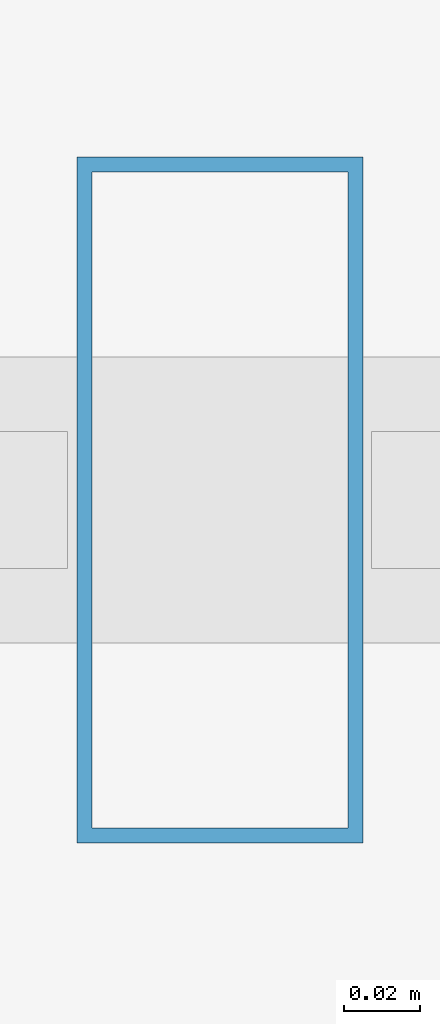
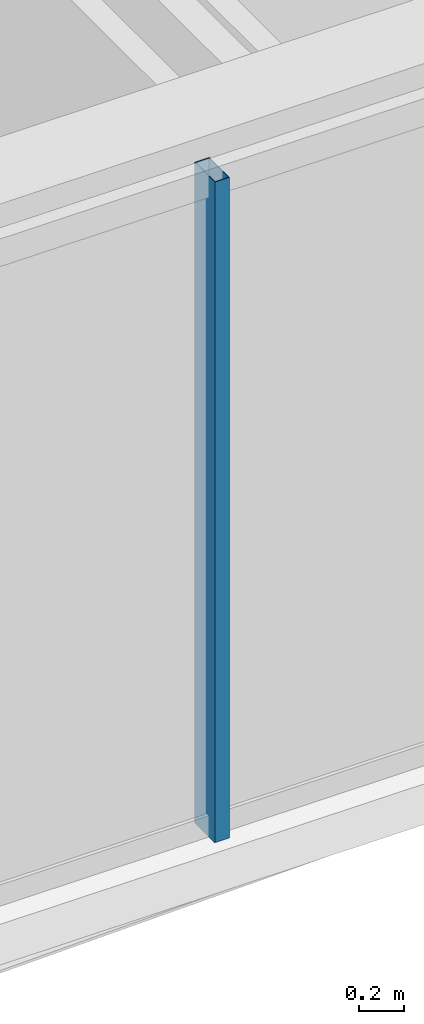
# One storey, part 9 of 33: 1 member, 1 element without a shape of its own.
"""IFC4 building model written with IfcOpenShell, lengths in metres."""

from ifc_helpers import new_model, si_unit, direction, frame, origin, origin_2d, place, context, subcontext, project, spatial, hollow_rectangle, extrude, material, layer, layer_set, material_profile, profile_set, type_object, element, aggregate, save


model = new_model("IFC4")

# Units and contexts
model_context = context("Model", 3, precision=1e-05, world=origin(), true_north=direction((0.0, 1.0)))
body_context = subcontext(model_context, "Body", "Model", "MODEL_VIEW")
ifc_project = project(units=[si_unit("LENGTHUNIT", "METRE"), si_unit("AREAUNIT", "SQUARE_METRE"), si_unit("VOLUMEUNIT", "CUBIC_METRE"), si_unit("PLANEANGLEUNIT", "RADIAN"), si_unit("MASSUNIT", "GRAM", prefix="KILO")], contexts=[model_context])

# Site, building, storey
site_placement = place(None, origin())
site = spatial("IfcSite", under=ifc_project, at=site_placement, CompositionType="ELEMENT")
building_placement = place(site_placement, origin())
building = spatial("IfcBuilding", under=site, at=building_placement, Name="Ndaravel Arena Tower", CompositionType="ELEMENT")
storey_placement = place(building_placement, frame((0.0, 0.0, 153.60009765625)))
storey = spatial("IfcBuildingStorey", under=building, at=storey_placement, Name="L36", CompositionType="ELEMENT", Elevation=153.60009765625)

# Curtain wall, member
ifc_material_1 = material(Name="Aluminium", Category="aluminium")
ifc_layer = layer(ifc_material_1, 0.179931640625)
ifc_layer_set = layer_set([ifc_layer], Name="Aluminium")
curtain_wall_type = type_object("IfcCurtainWallType", Name="CW-SYS-03", PredefinedType="NOTDEFINED", material=ifc_layer_set)
curtain_wall_placement = place(storey_placement, origin())
curtain_wall = element("IfcCurtainWall", 1, at=curtain_wall_placement, inside=storey, type_object=curtain_wall_type, Name="L36 Faceted Crystal Curtain Wall CW-L36-E01", PredefinedType="NOTDEFINED")
ifc_material_2 = material(Name="Aluminium", Category="aluminium")
ifc_material_profile = material_profile(ifc_material_2, hollow_rectangle(XDim=0.074951171875, YDim=0.179931640625, WallThickness=0.00390625, at=origin_2d()), Name="CW MULLION 75x180x4")
ifc_profile_set = profile_set([ifc_material_profile], Name="Aluminium")
member_type = type_object("IfcMemberType", Name="MEM-CW-MUL180", PredefinedType="MULLION", material=ifc_profile_set)
member_placement = place(storey_placement, frame((46.51904296875, 5.159912109375, 0.0), z_axis=(0.0, 0.0, 1.0), x_axis=(1.0, 0.0, 0.0)))
member = element("IfcMember", 2, at=member_placement, type_object=member_type, Name="CW-L36-E01 Mullion 05", PredefinedType="MULLION", context=body_context, shape_type="SweptSolid", body=[
    extrude(hollow_rectangle(XDim=0.074951171875, YDim=0.179931640625, WallThickness=0.00390625, at=origin_2d()), origin(), (0.0, 0.0, 1.0), 3.579833984375),
])
aggregate(curtain_wall, [member])

save(model, "model.ifc")
